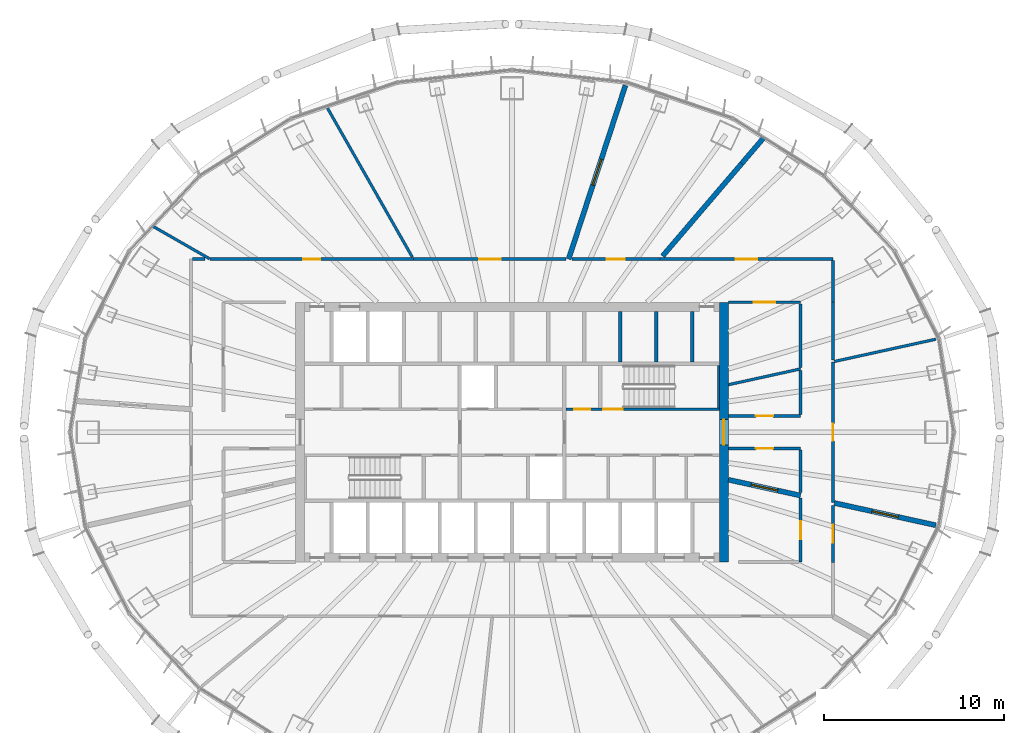
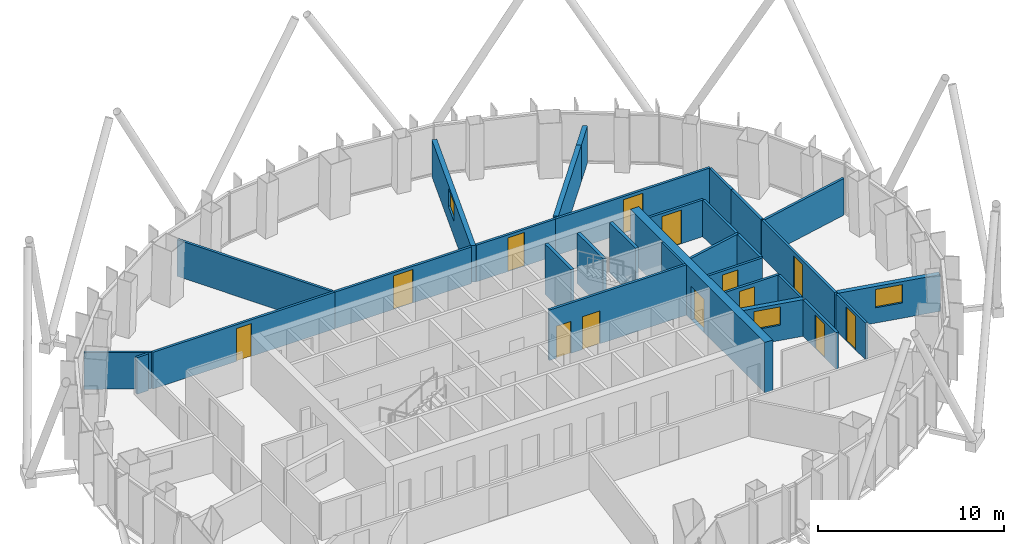
# One storey, part 10 of 18: 31 walls, 13 doors, 3 windows, 16 openings.
"""IFC4 building model written with IfcOpenShell, lengths in metres."""

from ifc_helpers import new_model, si_unit, direction, frame, frame_2d, origin, place, context, subcontext, project, spatial, rectangle, extrude, material, layer, layer_set, type_object, element, fill, save


model = new_model("IFC4")

# Units and contexts
model_context = context("Model", 3, precision=1e-05, world=origin(), true_north=direction((0.0, 1.0)))
body_context = subcontext(model_context, "Body", "Model", "MODEL_VIEW")
ifc_project = project(units=[si_unit("LENGTHUNIT", "METRE"), si_unit("AREAUNIT", "SQUARE_METRE"), si_unit("VOLUMEUNIT", "CUBIC_METRE"), si_unit("PLANEANGLEUNIT", "RADIAN"), si_unit("MASSUNIT", "GRAM", prefix="KILO")], contexts=[model_context])

# Site, building, storey
site_placement = place(None, origin())
site = spatial("IfcSite", under=ifc_project, at=site_placement, CompositionType="ELEMENT")
building_placement = place(site_placement, origin())
building = spatial("IfcBuilding", under=site, at=building_placement, Name="Siaravel Broadcast Tower", CompositionType="ELEMENT")
storey_placement = place(building_placement, frame((0.0, 0.0, 141.5)))
storey = spatial("IfcBuildingStorey", under=building, at=storey_placement, Name="L34", CompositionType="ELEMENT", Elevation=141.5)

# Wall, opening, window
ifc_material_1 = material(Name="Double-leaf acoustic partition", Category="gypsum")
ifc_layer_1 = layer(ifc_material_1, 0.280029296875)
ifc_layer_set_1 = layer_set([ifc_layer_1], Name="Double-leaf acoustic partition")
wall_type_1 = type_object("IfcWallType", Name="Acoustic double-leaf wall 280", PredefinedType="PARTITIONING", material=ifc_layer_set_1)
wall_1_placement = place(storey_placement, frame((6.291259765625, 19.23193359375, 0.0), z_axis=(0.0, 0.0, 1.0), x_axis=(-0.310917992, -0.950436743, 0.0)))
wall_1 = element("IfcWall", 1, at=wall_1_placement, inside=storey, type_object=wall_type_1, Name="L34 partition 3", PredefinedType="PARTITIONING", context=body_context, shape_type="SweptSolid", body=[
    extrude(rectangle(XDim=10.134033203125, YDim=0.280029296875, at=frame_2d((5.06689453125, 0.0))), origin(), (0.0, 0.0, 1.0), 2.39990234375),
])
opening_1_placement = place(wall_1_placement, frame((4.317138671875, 0.0, 1.0)))
opening_1 = element("IfcOpeningElement", 2, at=opening_1_placement, cuts=wall_1, Name="Opening L34-W03", PredefinedType="OPENING", context=body_context, shape_type="SweptSolid", body=[
    extrude(rectangle(XDim=1.5, YDim=1.199951171875, at=frame_2d((0.75, 0.60009765625))), frame((0.0, 0.14990234375, 0.0), z_axis=(0.0, -1.0, 0.0), x_axis=(1.0, 0.0, 0.0)), (0.0, 0.0, 1.0), 0.300048828125),
])
ifc_material_2 = material(Name="Laminated acoustic glass", Category="glass")
window_type = type_object("IfcWindowType", Name="Studio viewing window 1500", PartitioningType="SINGLE_PANEL", PredefinedType="WINDOW", material=ifc_material_2)
window_1_placement = place(opening_1_placement, origin())
window_1 = element("IfcWindow", 3, at=window_1_placement, inside=storey, type_object=window_type, Name="L34 viewing window to Viewing theatre", OverallHeight=1.199951171875, OverallWidth=1.5, PartitioningType="SINGLE_PANEL", PredefinedType="WINDOW", context=body_context, shape_type="SweptSolid", body=[
    extrude(rectangle(XDim=1.5, YDim=1.199951171875, at=frame_2d((0.75, 0.60009765625))), frame((0.0, 0.030029296875, 0.0), z_axis=(0.0, -1.0, 0.0), x_axis=(1.0, 0.0, 0.0)), (0.0, 0.0, 1.0), 0.06005859375),
])
fill(opening_1, window_1)

# Wall
wall_2_placement = place(storey_placement, frame((12.73828125, 14.901611328125, 0.0), z_axis=(0.0, 0.0, 1.0), x_axis=(-0.649772728, -0.760128543, 0.0)))
element("IfcWall", 4, at=wall_2_placement, inside=storey, type_object=wall_type_1, Name="L34 partition 12", PredefinedType="PARTITIONING", context=body_context, shape_type="SweptSolid", body=[
    extrude(rectangle(XDim=6.754150390625, YDim=0.280029296875, at=frame_2d((3.376953125, 0.0))), origin(), (0.0, 0.0, 1.0), 2.39990234375),
])

# Wall, opening, window
wall_3_placement = place(storey_placement, frame((23.50244140625, -5.158203125, 0.0), z_axis=(0.0, 0.0, 1.0), x_axis=(-0.976753863, 0.21436392, 0.0)))
wall_3 = element("IfcWall", 5, at=wall_3_placement, inside=storey, type_object=wall_type_1, Name="L34 partition 18", PredefinedType="PARTITIONING", context=body_context, shape_type="SweptSolid", body=[
    extrude(rectangle(XDim=5.762939453125, YDim=0.280029296875, at=frame_2d((2.88134765625, 0.0))), origin(), (0.0, 0.0, 1.0), 2.39990234375),
])
opening_2_placement = place(wall_3_placement, frame((2.13134765625, 0.0, 1.0)))
opening_2 = element("IfcOpeningElement", 6, at=opening_2_placement, cuts=wall_3, Name="Opening L34-W02", PredefinedType="OPENING", context=body_context, shape_type="SweptSolid", body=[
    extrude(rectangle(XDim=1.5, YDim=1.199951171875, at=frame_2d((0.75, 0.60009765625))), frame((0.0, 0.14990234375, 0.0), z_axis=(0.0, -1.0, 0.0), x_axis=(1.0, 0.0, 0.0)), (0.0, 0.0, 1.0), 0.300048828125),
])
window_2_placement = place(opening_2_placement, origin())
window_2 = element("IfcWindow", 7, at=window_2_placement, inside=storey, type_object=window_type, Name="L34 viewing window to Viewing theatre", OverallHeight=1.199951171875, OverallWidth=1.5, PartitioningType="SINGLE_PANEL", PredefinedType="WINDOW", context=body_context, shape_type="SweptSolid", body=[
    extrude(rectangle(XDim=1.5, YDim=1.199951171875, at=frame_2d((0.75, 0.60009765625))), frame((0.0, 0.030029296875, 0.0), z_axis=(0.0, -1.0, 0.0), x_axis=(1.0, 0.0, 0.0)), (0.0, 0.0, 1.0), 0.06005859375),
])
fill(opening_2, window_2)

wall_4_placement = place(storey_placement, frame((16.0, -3.51171875, 0.0), z_axis=(0.0, 0.0, 1.0), x_axis=(-0.976750433, 0.214379551, 0.0)))
wall_4 = element("IfcWall", 8, at=wall_4_placement, inside=storey, type_object=wall_type_1, Name="L34 partition 24", PredefinedType="PARTITIONING", context=body_context, shape_type="SweptSolid", body=[
    extrude(rectangle(XDim=4.09521484375, YDim=0.280029296875, at=frame_2d((2.047607421875, 0.0))), origin(), (0.0, 0.0, 1.0), 2.39990234375),
])
opening_3_placement = place(wall_4_placement, frame((1.297607421875, 0.0, 1.0)))
opening_3 = element("IfcOpeningElement", 9, at=opening_3_placement, cuts=wall_4, Name="Opening L34-W01", PredefinedType="OPENING", context=body_context, shape_type="SweptSolid", body=[
    extrude(rectangle(XDim=1.5, YDim=1.199951171875, at=frame_2d((0.75, 0.60009765625))), frame((0.0, 0.14990234375, 0.0), z_axis=(0.0, -1.0, 0.0), x_axis=(1.0, 0.0, 0.0)), (0.0, 0.0, 1.0), 0.300048828125),
])
window_3_placement = place(opening_3_placement, origin())
window_3 = element("IfcWindow", 10, at=window_3_placement, inside=storey, type_object=window_type, Name="L34 viewing window to Viewing theatre", OverallHeight=1.199951171875, OverallWidth=1.5, PartitioningType="SINGLE_PANEL", PredefinedType="WINDOW", context=body_context, shape_type="SweptSolid", body=[
    extrude(rectangle(XDim=1.5, YDim=1.199951171875, at=frame_2d((0.75, 0.60009765625))), frame((0.0, 0.030029296875, 0.0), z_axis=(0.0, -1.0, 0.0), x_axis=(1.0, 0.0, 0.0)), (0.0, 0.0, 1.0), 0.06005859375),
])
fill(opening_3, window_3)

# Wall
wall_5_placement = place(storey_placement, frame((13.945556640625, 16.313720703125, 0.0), z_axis=(0.0, 0.0, 1.0), x_axis=(-0.649794628, -0.760109822, 0.0)))
element("IfcWall", 11, at=wall_5_placement, inside=storey, type_object=wall_type_1, Name="L34 partition 48", PredefinedType="PARTITIONING", context=body_context, shape_type="SweptSolid", body=[
    extrude(rectangle(XDim=1.856689453125, YDim=0.280029296875, at=frame_2d((0.92822265625, 0.0))), origin(), (0.0, 0.0, 1.0), 2.39990234375),
])

# Wall, opening, door
ifc_material_3 = material(Name="Concrete C60/75", Category="concrete")
ifc_layer_2 = layer(ifc_material_3, 0.5)
ifc_layer_set_2 = layer_set([ifc_layer_2], Name="Concrete C60/75")
wall_type_2 = type_object("IfcWallType", Name="Core wall 500", PredefinedType="SHEAR", material=ifc_layer_set_2)
wall_6_placement = place(storey_placement, frame((11.75, -7.199951171875, 0.0), z_axis=(0.0, 0.0, 1.0), x_axis=(0.0, 1.0, 0.0)))
wall_6 = element("IfcWall", 12, at=wall_6_placement, inside=storey, type_object=wall_type_2, Name="L34 core wall OE", PredefinedType="SHEAR", context=body_context, shape_type="SweptSolid", body=[
    extrude(rectangle(XDim=14.39990234375, YDim=0.5, at=frame_2d((7.199951171875, 0.0))), origin(), (0.0, 0.0, 1.0), 3.300048828125),
])
opening_4_placement = place(wall_6_placement, frame((6.5, 0.0, 0.0)))
opening_4 = element("IfcOpeningElement", 13, at=opening_4_placement, cuts=wall_6, Name="Opening L34-DX-E", PredefinedType="OPENING", context=body_context, shape_type="SweptSolid", body=[
    extrude(rectangle(XDim=1.39990234375, YDim=2.199951171875, at=frame_2d((0.699951171875, 1.10009765625))), frame((0.0, 0.260009765625, 0.0), z_axis=(0.0, -1.0, 0.0), x_axis=(1.0, 0.0, 0.0)), (0.0, 0.0, 1.0), 0.52001953125),
])
ifc_material_4 = material(Name="Steel", Category="steel")
door_type_1 = type_object("IfcDoorType", Name="Core exit door 1400", OperationType="DOUBLE_DOOR_SINGLE_SWING", PredefinedType="DOOR", material=ifc_material_4)
door_1_placement = place(opening_4_placement, origin())
door_1 = element("IfcDoor", 14, at=door_1_placement, inside=storey, type_object=door_type_1, Name="L34 door DX-E", OperationType="DOUBLE_DOOR_SINGLE_SWING", OverallHeight=2.199951171875, OverallWidth=1.39990234375, PredefinedType="DOOR", context=body_context, shape_type="SweptSolid", body=[
    extrude(rectangle(XDim=1.39990234375, YDim=2.199951171875, at=frame_2d((0.699951171875, 1.10009765625))), frame((0.0, 0.02490234375, 0.0), z_axis=(0.0, -1.0, 0.0), x_axis=(1.0, 0.0, 0.0)), (0.0, 0.0, 1.0), 0.050048828125),
])
fill(opening_4, door_1)

ifc_material_5 = material(Name="Gypsum board partition", Category="gypsum")
ifc_layer_3 = layer(ifc_material_5, 0.14990234375)
ifc_layer_set_3 = layer_set([ifc_layer_3], Name="Gypsum board partition")
wall_type_3 = type_object("IfcWallType", Name="Corridor wall 150", PredefinedType="PARTITIONING", material=ifc_layer_set_3)
wall_7_placement = place(storey_placement, frame((-5.465087890625, 9.60009765625, 0.0), z_axis=(0.0, 0.0, 1.0), x_axis=(-1.0, 0.0, 0.0)))
wall_7 = element("IfcWall", 15, at=wall_7_placement, inside=storey, type_object=wall_type_3, Name="L34 partition 2", PredefinedType="PARTITIONING", context=body_context, shape_type="SweptSolid", body=[
    extrude(rectangle(XDim=11.272705078125, YDim=0.14990234375, at=frame_2d((5.63623046875, 0.0))), origin(), (0.0, 0.0, 1.0), 2.39990234375),
])
opening_5_placement = place(wall_7_placement, frame((5.161376953125, 0.0, 0.0)))
opening_5 = element("IfcOpeningElement", 16, at=opening_5_placement, cuts=wall_7, Name="Opening L34-015", PredefinedType="OPENING", context=body_context, shape_type="SweptSolid", body=[
    extrude(rectangle(XDim=0.949951171875, YDim=2.14990234375, at=frame_2d((0.47509765625, 1.074951171875))), frame((0.0, 0.0849609375, 0.0), z_axis=(0.0, -1.0, 0.0), x_axis=(1.0, 0.0, 0.0)), (0.0, 0.0, 1.0), 0.169921875),
])
ifc_material_6 = material(Name="Timber veneer", Category="wood")
door_type_2 = type_object("IfcDoorType", Name="Office door 950", OperationType="SINGLE_SWING_LEFT", PredefinedType="DOOR", material=ifc_material_6)
door_2_placement = place(opening_5_placement, origin())
door_2 = element("IfcDoor", 17, at=door_2_placement, inside=storey, type_object=door_type_2, Name="L34 door to Production office", OperationType="SINGLE_SWING_LEFT", OverallHeight=2.14990234375, OverallWidth=0.949951171875, PredefinedType="DOOR", context=body_context, shape_type="SweptSolid", body=[
    extrude(rectangle(XDim=0.949951171875, YDim=2.14990234375, at=frame_2d((0.47509765625, 1.074951171875))), frame((0.0, 0.02490234375, 0.0), z_axis=(0.0, -1.0, 0.0), x_axis=(1.0, 0.0, 0.0)), (0.0, 0.0, 1.0), 0.050048828125),
])
fill(opening_5, door_2)

wall_8_placement = place(storey_placement, frame((17.800048828125, 9.60009765625, 0.0), z_axis=(0.0, 0.0, 1.0), x_axis=(-1.0, 0.0, 0.0)))
wall_8 = element("IfcWall", 18, at=wall_8_placement, inside=storey, type_object=wall_type_3, Name="L34 partition 7", PredefinedType="PARTITIONING", context=body_context, shape_type="SweptSolid", body=[
    extrude(rectangle(XDim=9.59375, YDim=0.14990234375, at=frame_2d((4.796875, 0.0))), origin(), (0.0, 0.0, 1.0), 2.39990234375),
])
opening_6_placement = place(wall_8_placement, frame((4.19677734375, 0.0, 0.0)))
opening_6 = element("IfcOpeningElement", 19, at=opening_6_placement, cuts=wall_8, Name="Opening L34-012", PredefinedType="OPENING", context=body_context, shape_type="SweptSolid", body=[
    extrude(rectangle(XDim=1.199951171875, YDim=2.199951171875, at=frame_2d((0.60009765625, 1.10009765625))), frame((0.0, 0.0849609375, 0.0), z_axis=(0.0, -1.0, 0.0), x_axis=(1.0, 0.0, 0.0)), (0.0, 0.0, 1.0), 0.169921875),
])
door_type_3 = type_object("IfcDoorType", Name="Office double door 1200", OperationType="DOUBLE_DOOR_SINGLE_SWING", PredefinedType="DOOR", material=ifc_material_6)
door_3_placement = place(opening_6_placement, origin())
door_3 = element("IfcDoor", 20, at=door_3_placement, inside=storey, type_object=door_type_3, Name="L34 door to Open plan production office", OperationType="DOUBLE_DOOR_SINGLE_SWING", OverallHeight=2.199951171875, OverallWidth=1.199951171875, PredefinedType="DOOR", context=body_context, shape_type="SweptSolid", body=[
    extrude(rectangle(XDim=1.199951171875, YDim=2.199951171875, at=frame_2d((0.60009765625, 1.10009765625))), frame((0.0, 0.02490234375, 0.0), z_axis=(0.0, -1.0, 0.0), x_axis=(1.0, 0.0, 0.0)), (0.0, 0.0, 1.0), 0.050048828125),
])
fill(opening_6, door_3)

wall_9_placement = place(storey_placement, frame((3.00537109375, 9.60009765625, 0.0), z_axis=(0.0, 0.0, 1.0), x_axis=(-1.0, 0.0, 0.0)))
wall_9 = element("IfcWall", 21, at=wall_9_placement, inside=storey, type_object=wall_type_3, Name="L34 partition 9", PredefinedType="PARTITIONING", context=body_context, shape_type="SweptSolid", body=[
    extrude(rectangle(XDim=8.469482421875, YDim=0.14990234375, at=frame_2d((4.23486328125, 0.0))), origin(), (0.0, 0.0, 1.0), 2.39990234375),
])
opening_7_placement = place(wall_9_placement, frame((3.634765625, 0.0, 0.0)))
opening_7 = element("IfcOpeningElement", 22, at=opening_7_placement, cuts=wall_9, Name="Opening L34-014", PredefinedType="OPENING", context=body_context, shape_type="SweptSolid", body=[
    extrude(rectangle(XDim=1.199951171875, YDim=2.199951171875, at=frame_2d((0.60009765625, 1.10009765625))), frame((0.0, 0.0849609375, 0.0), z_axis=(0.0, -1.0, 0.0), x_axis=(1.0, 0.0, 0.0)), (0.0, 0.0, 1.0), 0.169921875),
])
door_4_placement = place(opening_7_placement, origin())
door_4 = element("IfcDoor", 23, at=door_4_placement, inside=storey, type_object=door_type_3, Name="L34 door to Open plan production office", OperationType="DOUBLE_DOOR_SINGLE_SWING", OverallHeight=2.199951171875, OverallWidth=1.199951171875, PredefinedType="DOOR", context=body_context, shape_type="SweptSolid", body=[
    extrude(rectangle(XDim=1.199951171875, YDim=2.199951171875, at=frame_2d((0.60009765625, 1.10009765625))), frame((0.0, 0.02490234375, 0.0), z_axis=(0.0, -1.0, 0.0), x_axis=(1.0, 0.0, 0.0)), (0.0, 0.0, 1.0), 0.050048828125),
])
fill(opening_7, door_4)

wall_10_placement = place(storey_placement, frame((17.800048828125, -3.90673828125, 0.0), z_axis=(0.0, 0.0, 1.0), x_axis=(0.0, 1.0, 0.0)))
wall_10 = element("IfcWall", 24, at=wall_10_placement, inside=storey, type_object=wall_type_3, Name="L34 partition 11", PredefinedType="PARTITIONING", context=body_context, shape_type="SweptSolid", body=[
    extrude(rectangle(XDim=7.8134765625, YDim=0.14990234375, at=frame_2d((3.90673828125, 0.0))), origin(), (0.0, 0.0, 1.0), 2.39990234375),
])
opening_8_placement = place(wall_10_placement, frame((3.431640625, 0.0, 0.0)))
opening_8 = element("IfcOpeningElement", 25, at=opening_8_placement, cuts=wall_10, Name="Opening L34-010", PredefinedType="OPENING", context=body_context, shape_type="SweptSolid", body=[
    extrude(rectangle(XDim=0.949951171875, YDim=2.14990234375, at=frame_2d((0.47509765625, 1.074951171875))), frame((0.0, 0.0849609375, 0.0), z_axis=(0.0, -1.0, 0.0), x_axis=(1.0, 0.0, 0.0)), (0.0, 0.0, 1.0), 0.169921875),
])
door_5_placement = place(opening_8_placement, origin())
door_5 = element("IfcDoor", 26, at=door_5_placement, inside=storey, type_object=door_type_2, Name="L34 door to Production office", OperationType="SINGLE_SWING_RIGHT", OverallHeight=2.14990234375, OverallWidth=0.949951171875, PredefinedType="DOOR", context=body_context, shape_type="SweptSolid", body=[
    extrude(rectangle(XDim=0.949951171875, YDim=2.14990234375, at=frame_2d((0.47509765625, 1.074951171875))), frame((0.0, 0.02490234375, 0.0), z_axis=(0.0, -1.0, 0.0), x_axis=(1.0, 0.0, 0.0)), (0.0, 0.0, 1.0), 0.050048828125),
])
fill(opening_8, door_5)

wall_11_placement = place(storey_placement, frame((8.205322265625, 9.60009765625, 0.0), z_axis=(0.0, 0.0, 1.0), x_axis=(-1.0, 0.0, 0.0)))
wall_11 = element("IfcWall", 27, at=wall_11_placement, inside=storey, type_object=wall_type_3, Name="L34 partition 22", PredefinedType="PARTITIONING", context=body_context, shape_type="SweptSolid", body=[
    extrude(rectangle(XDim=4.89111328125, YDim=0.14990234375, at=frame_2d((2.445556640625, 0.0))), origin(), (0.0, 0.0, 1.0), 2.39990234375),
])
opening_9_placement = place(wall_11_placement, frame((1.945556640625, 0.0, 0.0)))
opening_9 = element("IfcOpeningElement", 28, at=opening_9_placement, cuts=wall_11, Name="Opening L34-013", PredefinedType="OPENING", context=body_context, shape_type="SweptSolid", body=[
    extrude(rectangle(XDim=1.0, YDim=2.199951171875, at=frame_2d((0.5, 1.10009765625))), frame((0.0, 0.0849609375, 0.0), z_axis=(0.0, -1.0, 0.0), x_axis=(1.0, 0.0, 0.0)), (0.0, 0.0, 1.0), 0.169921875),
])
ifc_material_7 = material(Name="Acoustic timber and steel", Category="steel")
door_type_4 = type_object("IfcDoorType", Name="Acoustic door 1000", OperationType="SINGLE_SWING_LEFT", PredefinedType="DOOR", material=ifc_material_7)
door_6_placement = place(opening_9_placement, origin())
door_6 = element("IfcDoor", 29, at=door_6_placement, inside=storey, type_object=door_type_4, Name="L34 door to Viewing theatre", OperationType="SINGLE_SWING_LEFT", OverallHeight=2.199951171875, OverallWidth=1.0, PredefinedType="DOOR", context=body_context, shape_type="SweptSolid", body=[
    extrude(rectangle(XDim=1.0, YDim=2.199951171875, at=frame_2d((0.5, 1.10009765625))), frame((0.0, 0.02490234375, 0.0), z_axis=(0.0, -1.0, 0.0), x_axis=(1.0, 0.0, 0.0)), (0.0, 0.0, 1.0), 0.050048828125),
])
fill(opening_9, door_6)

wall_12_placement = place(storey_placement, frame((12.0, -0.89990234375, 0.0), z_axis=(0.0, 0.0, 1.0), x_axis=(1.0, 0.0, 0.0)))
wall_12 = element("IfcWall", 30, at=wall_12_placement, inside=storey, type_object=wall_type_3, Name="L34 partition 28", PredefinedType="PARTITIONING", context=body_context, shape_type="SweptSolid", body=[
    extrude(rectangle(XDim=4.0, YDim=0.14990234375, at=frame_2d((2.0, 0.0))), origin(), (0.0, 0.0, 1.0), 2.39990234375),
])
opening_10_placement = place(wall_12_placement, frame((1.52490234375, 0.0, 0.0)))
opening_10 = element("IfcOpeningElement", 31, at=opening_10_placement, cuts=wall_12, Name="Opening L34-008", PredefinedType="OPENING", context=body_context, shape_type="SweptSolid", body=[
    extrude(rectangle(XDim=0.949951171875, YDim=2.14990234375, at=frame_2d((0.47509765625, 1.074951171875))), frame((0.0, 0.0849609375, 0.0), z_axis=(0.0, -1.0, 0.0), x_axis=(1.0, 0.0, 0.0)), (0.0, 0.0, 1.0), 0.169921875),
])
door_7_placement = place(opening_10_placement, origin())
door_7 = element("IfcDoor", 32, at=door_7_placement, inside=storey, type_object=door_type_2, Name="L34 door to Production office", OperationType="SINGLE_SWING_RIGHT", OverallHeight=2.14990234375, OverallWidth=0.949951171875, PredefinedType="DOOR", context=body_context, shape_type="SweptSolid", body=[
    extrude(rectangle(XDim=0.949951171875, YDim=2.14990234375, at=frame_2d((0.47509765625, 1.074951171875))), frame((0.0, 0.02490234375, 0.0), z_axis=(0.0, -1.0, 0.0), x_axis=(1.0, 0.0, 0.0)), (0.0, 0.0, 1.0), 0.050048828125),
])
fill(opening_10, door_7)

wall_13_placement = place(storey_placement, frame((12.0, 7.199951171875, 0.0), z_axis=(0.0, 0.0, 1.0), x_axis=(1.0, 0.0, 0.0)))
wall_13 = element("IfcWall", 33, at=wall_13_placement, inside=storey, type_object=wall_type_3, Name="L34 partition 29", PredefinedType="PARTITIONING", context=body_context, shape_type="SweptSolid", body=[
    extrude(rectangle(XDim=4.0, YDim=0.14990234375, at=frame_2d((2.0, 0.0))), origin(), (0.0, 0.0, 1.0), 2.39990234375),
])
opening_11_placement = place(wall_13_placement, frame((1.39990234375, 0.0, 0.0)))
opening_11 = element("IfcOpeningElement", 34, at=opening_11_placement, cuts=wall_13, Name="Opening L34-011", PredefinedType="OPENING", context=body_context, shape_type="SweptSolid", body=[
    extrude(rectangle(XDim=1.199951171875, YDim=2.199951171875, at=frame_2d((0.60009765625, 1.10009765625))), frame((0.0, 0.0849609375, 0.0), z_axis=(0.0, -1.0, 0.0), x_axis=(1.0, 0.0, 0.0)), (0.0, 0.0, 1.0), 0.169921875),
])
door_8_placement = place(opening_11_placement, origin())
door_8 = element("IfcDoor", 35, at=door_8_placement, inside=storey, type_object=door_type_3, Name="L34 door to Open plan production office", OperationType="DOUBLE_DOOR_SINGLE_SWING", OverallHeight=2.199951171875, OverallWidth=1.199951171875, PredefinedType="DOOR", context=body_context, shape_type="SweptSolid", body=[
    extrude(rectangle(XDim=1.199951171875, YDim=2.199951171875, at=frame_2d((0.60009765625, 1.10009765625))), frame((0.0, 0.02490234375, 0.0), z_axis=(0.0, -1.0, 0.0), x_axis=(1.0, 0.0, 0.0)), (0.0, 0.0, 1.0), 0.050048828125),
])
fill(opening_11, door_8)

wall_14_placement = place(storey_placement, frame((16.0, 0.89990234375, 0.0), z_axis=(0.0, 0.0, 1.0), x_axis=(-1.0, 0.0, 0.0)))
wall_14 = element("IfcWall", 36, at=wall_14_placement, inside=storey, type_object=wall_type_3, Name="L34 partition 30", PredefinedType="PARTITIONING", context=body_context, shape_type="SweptSolid", body=[
    extrude(rectangle(XDim=4.0, YDim=0.14990234375, at=frame_2d((2.0, 0.0))), origin(), (0.0, 0.0, 1.0), 2.39990234375),
])
opening_12_placement = place(wall_14_placement, frame((1.52490234375, 0.0, 0.0)))
opening_12 = element("IfcOpeningElement", 37, at=opening_12_placement, cuts=wall_14, Name="Opening L34-009", PredefinedType="OPENING", context=body_context, shape_type="SweptSolid", body=[
    extrude(rectangle(XDim=0.949951171875, YDim=2.14990234375, at=frame_2d((0.47509765625, 1.074951171875))), frame((0.0, 0.0849609375, 0.0), z_axis=(0.0, -1.0, 0.0), x_axis=(1.0, 0.0, 0.0)), (0.0, 0.0, 1.0), 0.169921875),
])
door_9_placement = place(opening_12_placement, origin())
door_9 = element("IfcDoor", 38, at=door_9_placement, inside=storey, type_object=door_type_2, Name="L34 door to Production office", OperationType="SINGLE_SWING_LEFT", OverallHeight=2.14990234375, OverallWidth=0.949951171875, PredefinedType="DOOR", context=body_context, shape_type="SweptSolid", body=[
    extrude(rectangle(XDim=0.949951171875, YDim=2.14990234375, at=frame_2d((0.47509765625, 1.074951171875))), frame((0.0, 0.02490234375, 0.0), z_axis=(0.0, -1.0, 0.0), x_axis=(1.0, 0.0, 0.0)), (0.0, 0.0, 1.0), 0.050048828125),
])
fill(opening_12, door_9)

wall_15_placement = place(storey_placement, frame((16.0, -3.650390625, 0.0), z_axis=(0.0, 0.0, 1.0), x_axis=(0.0, -1.0, 0.0)))
wall_15 = element("IfcWall", 39, at=wall_15_placement, inside=storey, type_object=wall_type_3, Name="L34 partition 32", PredefinedType="PARTITIONING", context=body_context, shape_type="SweptSolid", body=[
    extrude(rectangle(XDim=3.549560546875, YDim=0.14990234375, at=frame_2d((1.77490234375, 0.0))), origin(), (0.0, 0.0, 1.0), 2.39990234375),
])
opening_13_placement = place(wall_15_placement, frame((1.27490234375, 0.0, 0.0)))
opening_13 = element("IfcOpeningElement", 40, at=opening_13_placement, cuts=wall_15, Name="Opening L34-006", PredefinedType="OPENING", context=body_context, shape_type="SweptSolid", body=[
    extrude(rectangle(XDim=1.0, YDim=2.199951171875, at=frame_2d((0.5, 1.10009765625))), frame((0.0, 0.0849609375, 0.0), z_axis=(0.0, -1.0, 0.0), x_axis=(1.0, 0.0, 0.0)), (0.0, 0.0, 1.0), 0.169921875),
])
door_10_placement = place(opening_13_placement, origin())
door_10 = element("IfcDoor", 41, at=door_10_placement, inside=storey, type_object=door_type_4, Name="L34 door to Viewing theatre", OperationType="SINGLE_SWING_RIGHT", OverallHeight=2.199951171875, OverallWidth=1.0, PredefinedType="DOOR", context=body_context, shape_type="SweptSolid", body=[
    extrude(rectangle(XDim=1.0, YDim=2.199951171875, at=frame_2d((0.5, 1.10009765625))), frame((0.0, 0.02490234375, 0.0), z_axis=(0.0, -1.0, 0.0), x_axis=(1.0, 0.0, 0.0)), (0.0, 0.0, 1.0), 0.050048828125),
])
fill(opening_13, door_10)

# Wall
wall_16_placement = place(storey_placement, frame((16.0, 7.123046875, 0.0), z_axis=(0.0, 0.0, 1.0), x_axis=(0.0, -1.0, 0.0)))
element("IfcWall", 42, at=wall_16_placement, inside=storey, type_object=wall_type_3, Name="L34 partition 33", PredefinedType="PARTITIONING", context=body_context, shape_type="SweptSolid", body=[
    extrude(rectangle(XDim=3.5361328125, YDim=0.14990234375, at=frame_2d((1.76806640625, 0.0))), origin(), (0.0, 0.0, 1.0), 2.39990234375),
])

# Wall, opening, door
wall_17_placement = place(storey_placement, frame((17.800048828125, -7.2119140625, 0.0), z_axis=(0.0, 0.0, 1.0), x_axis=(0.0, 1.0, 0.0)))
wall_17 = element("IfcWall", 43, at=wall_17_placement, inside=storey, type_object=wall_type_3, Name="L34 partition 38", PredefinedType="PARTITIONING", context=body_context, shape_type="SweptSolid", body=[
    extrude(rectangle(XDim=3.143310546875, YDim=0.14990234375, at=frame_2d((1.57177734375, 0.0))), origin(), (0.0, 0.0, 1.0), 2.39990234375),
])
opening_14_placement = place(wall_17_placement, frame((1.07177734375, 0.0, 0.0)))
opening_14 = element("IfcOpeningElement", 44, at=opening_14_placement, cuts=wall_17, Name="Opening L34-007", PredefinedType="OPENING", context=body_context, shape_type="SweptSolid", body=[
    extrude(rectangle(XDim=1.0, YDim=2.199951171875, at=frame_2d((0.5, 1.10009765625))), frame((0.0, 0.0849609375, 0.0), z_axis=(0.0, -1.0, 0.0), x_axis=(1.0, 0.0, 0.0)), (0.0, 0.0, 1.0), 0.169921875),
])
door_11_placement = place(opening_14_placement, origin())
door_11 = element("IfcDoor", 45, at=door_11_placement, inside=storey, type_object=door_type_4, Name="L34 door to Viewing theatre", OperationType="SINGLE_SWING_LEFT", OverallHeight=2.199951171875, OverallWidth=1.0, PredefinedType="DOOR", context=body_context, shape_type="SweptSolid", body=[
    extrude(rectangle(XDim=1.0, YDim=2.199951171875, at=frame_2d((0.5, 1.10009765625))), frame((0.0, 0.02490234375, 0.0), z_axis=(0.0, -1.0, 0.0), x_axis=(1.0, 0.0, 0.0)), (0.0, 0.0, 1.0), 0.050048828125),
])
fill(opening_14, door_11)

# Walls
wall_18_placement = place(storey_placement, frame((17.800048828125, 4.001953125, 0.0), z_axis=(0.0, 0.0, 1.0), x_axis=(0.0, 1.0, 0.0)))
element("IfcWall", 46, at=wall_18_placement, inside=storey, type_object=wall_type_3, Name="L34 partition 39", PredefinedType="PARTITIONING", context=body_context, shape_type="SweptSolid", body=[
    extrude(rectangle(XDim=3.2099609375, YDim=0.14990234375, at=frame_2d((1.60498046875, 0.0))), origin(), (0.0, 0.0, 1.0), 2.39990234375),
])
wall_19_placement = place(storey_placement, frame((16.0, -0.97705078125, 0.0), z_axis=(0.0, 0.0, 1.0), x_axis=(0.0, -1.0, 0.0)))
element("IfcWall", 47, at=wall_19_placement, inside=storey, type_object=wall_type_3, Name="L34 partition 43", PredefinedType="PARTITIONING", context=body_context, shape_type="SweptSolid", body=[
    extrude(rectangle(XDim=2.372802734375, YDim=0.14990234375, at=frame_2d((1.1865234375, 0.0))), origin(), (0.0, 0.0, 1.0), 2.39990234375),
])
wall_20_placement = place(storey_placement, frame((16.0, 3.41650390625, 0.0), z_axis=(0.0, 0.0, 1.0), x_axis=(0.0, -1.0, 0.0)))
element("IfcWall", 48, at=wall_20_placement, inside=storey, type_object=wall_type_3, Name="L34 partition 44", PredefinedType="PARTITIONING", context=body_context, shape_type="SweptSolid", body=[
    extrude(rectangle(XDim=2.439453125, YDim=0.14990234375, at=frame_2d((1.2197265625, 0.0))), origin(), (0.0, 0.0, 1.0), 2.39990234375),
])
wall_21_placement = place(storey_placement, frame((17.800048828125, 7.212890625, 0.0), z_axis=(0.0, 0.0, 1.0), x_axis=(0.0, 1.0, 0.0)))
element("IfcWall", 49, at=wall_21_placement, inside=storey, type_object=wall_type_3, Name="L34 partition 47", PredefinedType="PARTITIONING", context=body_context, shape_type="SweptSolid", body=[
    extrude(rectangle(XDim=2.31005859375, YDim=0.14990234375, at=frame_2d((1.155029296875, 0.0))), origin(), (0.0, 0.0, 1.0), 2.39990234375),
])
wall_22_placement = place(storey_placement, frame((-17.021484375, 9.60009765625, 0.0), z_axis=(0.0, 0.0, 1.0), x_axis=(-1.0, 0.0, 0.0)))
element("IfcWall", 50, at=wall_22_placement, inside=storey, type_object=wall_type_3, Name="L34 partition 49", PredefinedType="PARTITIONING", context=body_context, shape_type="SweptSolid", body=[
    extrude(rectangle(XDim=0.701416015625, YDim=0.14990234375, at=frame_2d((0.3505859375, 0.0))), origin(), (0.0, 0.0, 1.0), 2.39990234375),
])
ifc_layer_4 = layer(ifc_material_5, 0.14990234375)
ifc_layer_set_4 = layer_set([ifc_layer_4], Name="Gypsum board partition")
wall_type_4 = type_object("IfcWallType", Name="Room partition 150", PredefinedType="PARTITIONING", material=ifc_layer_set_4)
wall_23_placement = place(storey_placement, frame((-10.2744140625, 18.048095703125, 0.0), z_axis=(0.0, 0.0, 1.0), x_axis=(0.494740094, -0.869040989, 0.0)))
element("IfcWall", 51, at=wall_23_placement, inside=storey, type_object=wall_type_4, Name="L34 partition 5", PredefinedType="PARTITIONING", context=body_context, shape_type="SweptSolid", body=[
    extrude(rectangle(XDim=9.590087890625, YDim=0.14990234375, at=frame_2d((4.794921875, 0.0))), origin(), (0.0, 0.0, 1.0), 2.39990234375),
])
wall_24_placement = place(storey_placement, frame((23.501220703125, 5.157958984375, 0.0), z_axis=(0.0, 0.0, 1.0), x_axis=(-0.976753, -0.214367855, 0.0)))
element("IfcWall", 52, at=wall_24_placement, inside=storey, type_object=wall_type_4, Name="L34 partition 19", PredefinedType="PARTITIONING", context=body_context, shape_type="SweptSolid", body=[
    extrude(rectangle(XDim=5.76171875, YDim=0.14990234375, at=frame_2d((2.880859375, 0.0))), origin(), (0.0, 0.0, 1.0), 2.39990234375),
])
wall_25_placement = place(storey_placement, frame((16.0, 3.51171875, 0.0), z_axis=(0.0, 0.0, 1.0), x_axis=(-0.976750433, -0.214379551, 0.0)))
element("IfcWall", 53, at=wall_25_placement, inside=storey, type_object=wall_type_4, Name="L34 partition 25", PredefinedType="PARTITIONING", context=body_context, shape_type="SweptSolid", body=[
    extrude(rectangle(XDim=4.09521484375, YDim=0.14990234375, at=frame_2d((2.047607421875, 0.0))), origin(), (0.0, 0.0, 1.0), 2.39990234375),
])
wall_26_placement = place(storey_placement, frame((-19.925537109375, 11.42822265625, 0.0), z_axis=(0.0, 0.0, 1.0), x_axis=(0.867465124, -0.497497998, 0.0)))
element("IfcWall", 54, at=wall_26_placement, inside=storey, type_object=wall_type_4, Name="L34 partition 34", PredefinedType="PARTITIONING", context=body_context, shape_type="SweptSolid", body=[
    extrude(rectangle(XDim=3.635498046875, YDim=0.14990234375, at=frame_2d((1.81787109375, 0.0))), origin(), (0.0, 0.0, 1.0), 2.39990234375),
])
ifc_layer_5 = layer(ifc_material_3, 0.10009765625)
ifc_layer_set_5 = layer_set([ifc_layer_5], Name="Concrete C60/75")
wall_type_5 = type_object("IfcWallType", Name="Shaft wall 100", PredefinedType="SHEAR", material=ifc_layer_set_5)
wall_27_placement = place(storey_placement, frame((11.449951171875, 1.35009765625, 0.0), z_axis=(0.0, 0.0, 1.0), x_axis=(0.0, 1.0, 0.0)))
element("IfcWall", 55, at=wall_27_placement, inside=storey, type_object=wall_type_5, Name="L34 core wall ST2E", PredefinedType="SHEAR", context=body_context, shape_type="SweptSolid", body=[
    extrude(rectangle(XDim=2.349853515625, YDim=0.10009765625, at=frame_2d((1.1748046875, 0.0))), origin(), (0.0, 0.0, 1.0), 3.300048828125),
])

# Wall, openings, doors
ifc_layer_6 = layer(ifc_material_3, 0.14990234375)
ifc_layer_set_6 = layer_set([ifc_layer_6], Name="Concrete C60/75")
wall_type_6 = type_object("IfcWallType", Name="Shaft wall 150", PredefinedType="SHEAR", material=ifc_layer_set_6)
wall_28_placement = place(storey_placement, frame((3.0, 1.27490234375, 0.0), z_axis=(0.0, 0.0, 1.0), x_axis=(1.0, 0.0, 0.0)))
wall_28 = element("IfcWall", 56, at=wall_28_placement, inside=storey, type_object=wall_type_6, Name="L34 core wall CNE", PredefinedType="SHEAR", context=body_context, shape_type="SweptSolid", body=[
    extrude(rectangle(XDim=8.5, YDim=0.14990234375, at=frame_2d((4.25, 0.0))), origin(), (0.0, 0.0, 1.0), 3.300048828125),
])
opening_15_placement = place(wall_28_placement, frame((2.050048828125, 0.0, 0.0)))
opening_15 = element("IfcOpeningElement", 57, at=opening_15_placement, cuts=wall_28, Name="Opening L34-DS-2", PredefinedType="OPENING", context=body_context, shape_type="SweptSolid", body=[
    extrude(rectangle(XDim=1.10009765625, YDim=2.14990234375, at=frame_2d((0.550048828125, 1.074951171875))), frame((0.0, 0.0849609375, 0.0), z_axis=(0.0, -1.0, 0.0), x_axis=(1.0, 0.0, 0.0)), (0.0, 0.0, 1.0), 0.169921875),
])
opening_16_placement = place(wall_28_placement, frame((0.449951171875, 0.0, 0.0)))
opening_16 = element("IfcOpeningElement", 58, at=opening_16_placement, cuts=wall_28, Name="Opening L34-DNE0", PredefinedType="OPENING", context=body_context, shape_type="SweptSolid", body=[
    extrude(rectangle(XDim=0.89990234375, YDim=2.10009765625, at=frame_2d((0.449951171875, 1.050048828125))), frame((0.0, 0.0849609375, 0.0), z_axis=(0.0, -1.0, 0.0), x_axis=(1.0, 0.0, 0.0)), (0.0, 0.0, 1.0), 0.169921875),
])
door_type_5 = type_object("IfcDoorType", Name="Core room door 900", OperationType="SINGLE_SWING_LEFT", PredefinedType="DOOR", material=ifc_material_6)
door_12_placement = place(opening_16_placement, origin())
door_12 = element("IfcDoor", 59, at=door_12_placement, inside=storey, type_object=door_type_5, Name="L34 door DNE0", OperationType="SINGLE_SWING_LEFT", OverallHeight=2.10009765625, OverallWidth=0.89990234375, PredefinedType="DOOR", context=body_context, shape_type="SweptSolid", body=[
    extrude(rectangle(XDim=0.89990234375, YDim=2.10009765625, at=frame_2d((0.449951171875, 1.050048828125))), frame((0.0, 0.02490234375, 0.0), z_axis=(0.0, -1.0, 0.0), x_axis=(1.0, 0.0, 0.0)), (0.0, 0.0, 1.0), 0.050048828125),
])
fill(opening_16, door_12)
door_type_6 = type_object("IfcDoorType", Name="Stair door 1100", OperationType="SINGLE_SWING_LEFT", PredefinedType="DOOR", material=ifc_material_4)
door_13_placement = place(opening_15_placement, origin())
door_13 = element("IfcDoor", 60, at=door_13_placement, inside=storey, type_object=door_type_6, Name="L34 door DS-2", OperationType="SINGLE_SWING_LEFT", OverallHeight=2.14990234375, OverallWidth=1.10009765625, PredefinedType="DOOR", context=body_context, shape_type="SweptSolid", body=[
    extrude(rectangle(XDim=1.10009765625, YDim=2.14990234375, at=frame_2d((0.550048828125, 1.074951171875))), frame((0.0, 0.02490234375, 0.0), z_axis=(0.0, -1.0, 0.0), x_axis=(1.0, 0.0, 0.0)), (0.0, 0.0, 1.0), 0.050048828125),
])
fill(opening_15, door_13)

# Walls
ifc_layer_7 = layer(ifc_material_3, 0.199951171875)
ifc_layer_set_7 = layer_set([ifc_layer_7], Name="Concrete C60/75")
wall_type_7 = type_object("IfcWallType", Name="Shaft wall 200", PredefinedType="SHEAR", material=ifc_layer_set_7)
for number, where, z_axis, x_axis, name in (
    (61, (6.0, 3.89990234375, 0.0), (0.0, 0.0, 1.0), (0.0, 1.0, 0.0), "L34 core wall SWN8"),
    (62, (8.0, 3.89990234375, 0.0), (0.0, 0.0, 1.0), (0.0, 1.0, 0.0), "L34 core wall SWN9"),
    (63, (10.0, 3.89990234375, 0.0), (0.0, 0.0, 1.0), (0.0, 1.0, 0.0), "L34 core wall SWN10"),
):
    element("IfcWall", number, at=place(storey_placement, frame(where, z_axis=z_axis, x_axis=x_axis)), inside=storey, type_object=wall_type_7, Name=name, PredefinedType="SHEAR", context=body_context, shape_type="SweptSolid", body=[
        extrude(rectangle(XDim=2.800048828125, YDim=0.199951171875, at=frame_2d((1.39990234375, 0.0))), origin(), (0.0, 0.0, 1.0), 3.300048828125),
    ])

save(model, "model.ifc")
